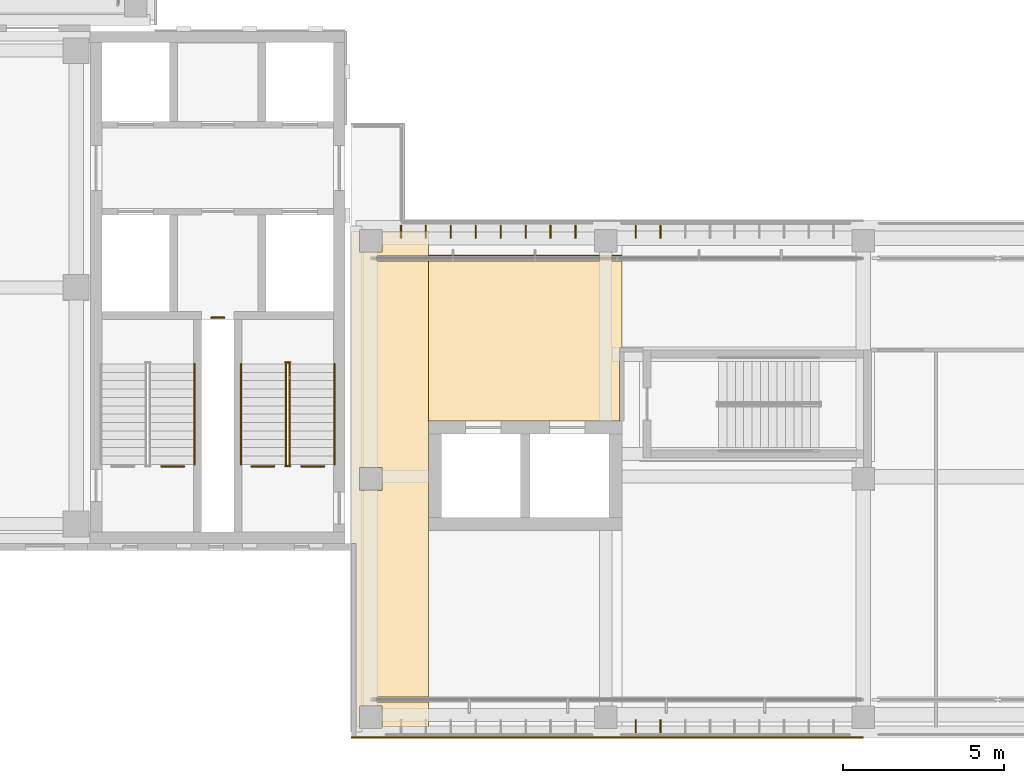
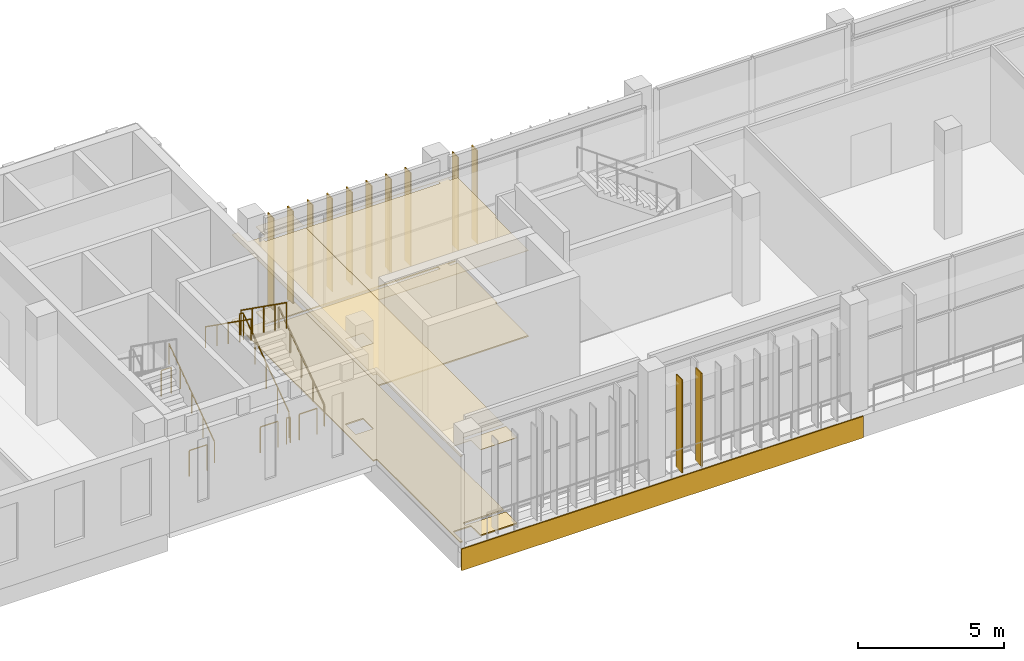
# One storey, part 31 of 46: 12 shading devices, 11 railings, 5 coverings.
"""IFC4 building model written with IfcOpenShell, lengths in metres."""

import ifcopenshell
import ifcopenshell.guid

model = None  # the IFC model being written
_history = None  # IfcOwnerHistory: only IFC2X3 demands one
_inside = {}  # id of a spatial element -> (the spatial element, [elements in it])
_under = {}  # id of a project, library or spatial element -> (it, [spatial elements below it])
_declared = {}  # id of a project -> (the project, [libraries it declares])
_typed = {}  # id of a type object -> (the type object, [elements of that type])
_made_of = {}  # id of a material, layer set ... -> (it, [elements and type objects made of it])


def new_model(schema):
    """Start an empty IFC model of exactly this schema.

    Asked for "IFC4X3", IfcOpenShell would pick the latest addendum, in which some entities
    have other attributes; the version numbers below select the first issue.
    IFC2X3 requires an IfcOwnerHistory on every rooted entity: one is made here for all.
    """
    global model, _history
    if schema == "IFC4X3":
        model = ifcopenshell.file(schema_version=(4, 3, 0, 0))
    else:
        model = ifcopenshell.file(schema=schema)
    _inside.clear()
    _under.clear()
    _declared.clear()
    _typed.clear()
    _made_of.clear()
    _history = None
    if model.schema == "IFC2X3":
        org = make("IfcOrganization", Name="unknown")
        user = make(
            "IfcPersonAndOrganization",
            ThePerson=make("IfcPerson", FamilyName="unknown"),
            TheOrganization=org,
        )
        app = make(
            "IfcApplication",
            ApplicationDeveloper=org,
            Version="unknown",
            ApplicationFullName="unknown",
            ApplicationIdentifier="unknown",
        )
        _history = make(
            "IfcOwnerHistory",
            OwningUser=user,
            OwningApplication=app,
            ChangeAction="ADDED",
            CreationDate=0,
        )
    return model


def make(cls, **values):
    """One entity of the class cls with the attributes given. An attribute that is None is left unset."""
    return model.create_entity(
        cls, **{name: value for name, value in values.items() if value is not None}
    )


def rooted(cls, **values):
    """An entity with a GlobalId (a new one), such as an element, a storey or a relation."""
    return make(cls, GlobalId=ifcopenshell.guid.new(), OwnerHistory=_history, **values)


def si_unit(unit_type, name, prefix=None):
    """IfcSIUnit, for example si_unit("LENGTHUNIT", "METRE", prefix="MILLI")."""
    return make("IfcSIUnit", UnitType=unit_type, Prefix=prefix, Name=name)


def assignment(units):
    """IfcUnitAssignment: the units of a project."""
    return None if units is None else make("IfcUnitAssignment", Units=units)


def point(xyz):
    """IfcCartesianPoint."""
    return None if xyz is None else make("IfcCartesianPoint", Coordinates=xyz)


def direction(xyz):
    """IfcDirection."""
    return None if xyz is None else make("IfcDirection", DirectionRatios=xyz)


def frame(location, z_axis=None, x_axis=None):
    """IfcAxis2Placement3D, a coordinate frame: its origin and axes. An axis left out is left unset."""
    return make(
        "IfcAxis2Placement3D",
        Location=point(location),
        Axis=direction(z_axis),
        RefDirection=direction(x_axis),
    )


def frame_2d(location, x_axis=None):
    """IfcAxis2Placement2D, a coordinate frame in the plane: its origin and x axis."""
    return make(
        "IfcAxis2Placement2D", Location=point(location), RefDirection=direction(x_axis)
    )


def origin():
    """The frame at (0, 0, 0) with its axes left unset."""
    return frame((0.0, 0.0, 0.0))


def origin_2d():
    """The frame at (0, 0) in the plane with its x axis left unset."""
    return frame_2d((0.0, 0.0))


def place(relative_to, where):
    """IfcLocalPlacement: puts the frame where relative to a parent placement (None: the world)."""
    return make(
        "IfcLocalPlacement", PlacementRelTo=relative_to, RelativePlacement=where
    )


def context(
    kind, dimensions, precision=None, world=None, true_north=None, identifier=None
):
    """IfcGeometricRepresentationContext, for example the 3D "Model" context."""
    return make(
        "IfcGeometricRepresentationContext",
        ContextIdentifier=identifier,
        ContextType=kind,
        CoordinateSpaceDimension=dimensions,
        Precision=precision,
        WorldCoordinateSystem=world,
        TrueNorth=true_north,
    )


def subcontext(parent, identifier, kind, view, scale=None):
    """IfcGeometricRepresentationSubContext, for example "Body" below "Model"."""
    return make(
        "IfcGeometricRepresentationSubContext",
        ContextIdentifier=identifier,
        ContextType=kind,
        ParentContext=parent,
        TargetScale=scale,
        TargetView=view,
    )


def project(units=None, contexts=None):
    """IfcProject with its units and contexts."""
    return rooted(
        "IfcProject",
        Name="project",
        RepresentationContexts=contexts,
        UnitsInContext=assignment(units),
    )


def spatial(cls, under=None, at=None, **own):
    """A site, building, storey or space (cls), placed at a placement, below another one or the project."""
    s = rooted(cls, ObjectPlacement=at, **own)
    if under is not None:
        _under.setdefault(under.id(), (under, []))[1].append(s)
    return s


def polyline(points):
    """IfcPolyline through the points."""
    return make("IfcPolyline", Points=[point(p) for p in points])


def profile(cls, at=None, kind="AREA", **sizes):
    """A parametric profile (cls). Its sizes go by their IFC names, for example OverallWidth=200.0."""
    return make(cls, ProfileType=kind, Position=at, **sizes)


def rectangle(**sizes):
    """IfcRectangleProfileDef."""
    return profile("IfcRectangleProfileDef", **sizes)


def circle(**sizes):
    """IfcCircleProfileDef."""
    return profile("IfcCircleProfileDef", **sizes)


def outline(outer, holes=None, kind="AREA"):
    """IfcArbitraryClosedProfileDef: a profile drawn as a closed curve; with holes, ...WithVoids."""
    if holes is None:
        return make("IfcArbitraryClosedProfileDef", ProfileType=kind, OuterCurve=outer)
    return make(
        "IfcArbitraryProfileDefWithVoids",
        ProfileType=kind,
        OuterCurve=outer,
        InnerCurves=holes,
    )


def extrude(swept, where, along, depth):
    """IfcExtrudedAreaSolid: the profile swept, set in the frame where, extruded along a direction by depth."""
    return make(
        "IfcExtrudedAreaSolid",
        SweptArea=swept,
        Position=where,
        ExtrudedDirection=direction(along),
        Depth=depth,
    )


def shape(context_of_items, identifier, shape_type, items):
    """IfcShapeRepresentation: the items that make up one representation, for example the "Body"."""
    return make(
        "IfcShapeRepresentation",
        ContextOfItems=context_of_items,
        RepresentationIdentifier=identifier,
        RepresentationType=shape_type,
        Items=items,
    )


def material(Name=None, Category=None):
    """IfcMaterial."""
    return make("IfcMaterial", Name=Name, Category=Category)


def layer(
    of_material, thickness, ventilated=None, Name=None, Category=None, Priority=None
):
    """IfcMaterialLayer: one layer of a wall or slab, of a material (None: an air gap)."""
    return make(
        "IfcMaterialLayer",
        Material=of_material,
        LayerThickness=thickness,
        IsVentilated=ventilated,
        Name=Name,
        Category=Category,
        Priority=Priority,
    )


def layer_set(layers, Name=None):
    """IfcMaterialLayerSet."""
    return make("IfcMaterialLayerSet", MaterialLayers=layers, LayerSetName=Name)


def made_of(thing, what):
    """Note that an element or type object is made of a material, layer set ...; save() writes the relation."""
    if what is not None:
        _made_of.setdefault(what.id(), (what, []))[1].append(thing)
    return thing


def type_object(cls, material=None, **own):
    """A type object (cls), such as IfcWallType, which elements share."""
    return made_of(rooted(cls, **own), material)


def element(
    cls,
    number,
    at=None,
    inside=None,
    cuts=None,
    type_object=None,
    material=None,
    context=None,
    identifier="Body",
    shape_type=None,
    held_by="IfcProductDefinitionShape",
    body=None,
    shapes=None,
    **own,
):
    """One element of the class cls, such as IfcWall. Its Tag is "e" and its number.

    at: its placement. inside: the storey or other place that contains it. cuts: it is an
    opening in that element (IfcRelVoidsElement). A single representation is given by context,
    identifier, shape_type and body (its items); several are given by shapes. held_by: the class
    of the entity that holds the representations. save() writes the other relations.
    """
    e = rooted(cls, Tag="e%d" % number, ObjectPlacement=at, **own)
    if body is not None:
        shapes = [shape(context, identifier, shape_type, body)]
    if shapes is not None:
        e.Representation = make(held_by, Representations=shapes)
    if inside is not None:
        _inside.setdefault(inside.id(), (inside, []))[1].append(e)
    if cuts is not None:
        rooted(
            "IfcRelVoidsElement", RelatingBuildingElement=cuts, RelatedOpeningElement=e
        )
    if type_object is not None:
        _typed.setdefault(type_object.id(), (type_object, []))[1].append(e)
    return made_of(e, material)


def aggregate(whole, parts):
    """IfcRelAggregates: a whole, such as a stair, and the parts it consists of."""
    return rooted("IfcRelAggregates", RelatingObject=whole, RelatedObjects=parts)


def save(model, path):
    """Write the relations noted so far, then the file.

    IfcRelAggregates (storeys below a building ...), IfcRelContainedInSpatialStructure (elements
    in a storey), IfcRelDefinesByType, IfcRelAssociatesMaterial and IfcRelDeclares: one each for
    every whole, place, type object, material and project.
    """
    for whole, parts in _under.values():
        aggregate(whole, parts)
    for where, things in _inside.values():
        rooted(
            "IfcRelContainedInSpatialStructure",
            RelatedElements=things,
            RelatingStructure=where,
        )
    for kind, things in _typed.values():
        rooted("IfcRelDefinesByType", RelatedObjects=things, RelatingType=kind)
    for what, things in _made_of.values():
        rooted("IfcRelAssociatesMaterial", RelatedObjects=things, RelatingMaterial=what)
    for by, libraries in _declared.values():
        rooted("IfcRelDeclares", RelatingContext=by, RelatedDefinitions=libraries)
    model.write(path)


model = new_model("IFC4")

# Units and contexts
model_context = context("Model", 3, precision=1e-05, world=origin(), true_north=direction((0.0, 1.0)))
body_context = subcontext(model_context, "Body", "Model", "MODEL_VIEW")
ifc_project = project(units=[si_unit("LENGTHUNIT", "METRE"), si_unit("AREAUNIT", "SQUARE_METRE"), si_unit("VOLUMEUNIT", "CUBIC_METRE"), si_unit("PLANEANGLEUNIT", "RADIAN"), si_unit("MASSUNIT", "GRAM", prefix="KILO")], contexts=[model_context])

# Site, building, storey
site_placement = place(None, origin())
site = spatial("IfcSite", under=ifc_project, at=site_placement, CompositionType="ELEMENT")
building_placement = place(site_placement, origin())
building = spatial("IfcBuilding", under=site, at=building_placement, Name="Lantern Court Media Centre", CompositionType="ELEMENT")
storey_placement = place(building_placement, frame((0.0, 0.0, 28.800048828125)))
storey = spatial("IfcBuildingStorey", under=building, at=storey_placement, Name="L06", CompositionType="ELEMENT", Elevation=28.800048828125)

# Railings
ifc_material_1 = material(Name="Powder-coated steel", Category="steel")
railing_type_1 = type_object("IfcRailingType", Name="Floor edge guard 1100", PredefinedType="GUARDRAIL", material=ifc_material_1)
for number, where, name in (
    (1, (18.89990234375, 50.390380859375, 0.0), "L06 opening guard 142"),
    (2, (23.25, 50.390380859375, 0.0), "L06 opening guard 144"),
    (3, (21.70361328125, 50.390380859375, 0.0), "L06 opening guard 145"),
):
    element("IfcRailing", number, at=place(storey_placement, frame(where)), inside=storey, type_object=railing_type_1, Name=name, PredefinedType="GUARDRAIL", context=body_context, shape_type="SweptSolid", body=[
        extrude(circle(Radius=0.02392578125, at=origin_2d()), frame((0.0, 0.0, 1.076171875), z_axis=(-1.0, 0.0, 0.0), x_axis=(0.0, -1.0, 0.0)), (0.0, 0.0, 1.0), 0.70361328125),
        extrude(circle(Radius=0.02099609375, at=origin_2d()), origin(), (0.0, 0.0, 1.0), 1.052001953125),
        extrude(circle(Radius=0.02099609375, at=origin_2d()), frame((-0.70361328125, 0.0, 0.0)), (0.0, 0.0, 1.0), 1.052001953125),
    ])
railing_1_placement = place(storey_placement, frame((20.14990234375, 55.010009765625, 0.0)))
element("IfcRailing", 4, at=railing_1_placement, inside=storey, type_object=railing_type_1, Name="L06 opening guard 146", PredefinedType="GUARDRAIL", context=body_context, shape_type="SweptSolid", body=[
    extrude(circle(Radius=0.02392578125, at=origin_2d()), frame((0.0, 0.0, 1.076171875), z_axis=(-1.0, 0.0, 0.0), x_axis=(0.0, -1.0, 0.0)), (0.0, 0.0, 1.0), 0.39990234375),
    extrude(circle(Radius=0.02099609375, at=origin_2d()), origin(), (0.0, 0.0, 1.0), 1.052001953125),
    extrude(circle(Radius=0.02099609375, at=origin_2d()), frame((-0.39990234375, 0.0, 0.0)), (0.0, 0.0, 1.0), 1.052001953125),
])

# Covering
ifc_material_2 = material(Name="White glass-fibre reinforced cement cladding", Category="concrete")
ifc_layer_1 = layer(ifc_material_2, 0.050048828125)
ifc_layer_set_1 = layer_set([ifc_layer_1], Name="White glass-fibre reinforced cement cladding")
covering_type_1 = type_object("IfcCoveringType", Name="Floor-edge band 50", PredefinedType="CLADDING", material=ifc_layer_set_1)
covering_1_placement = place(storey_placement, frame((24.10009765625, 41.97509765625, -0.900146484375), z_axis=(0.0, 0.0, 1.0), x_axis=(1.0, 0.0, 0.0)))
element("IfcCovering", 5, at=covering_1_placement, inside=storey, type_object=covering_type_1, Name="Floor-edge band S outer L06", PredefinedType="CLADDING", context=body_context, shape_type="SweptSolid", body=[
    extrude(rectangle(XDim=15.89990234375, YDim=0.050048828125, at=frame_2d((7.949951171875, 0.0))), origin(), (0.0, 0.0, 1.0), 0.900146484375),
])

# Railings
railing_type_2 = type_object("IfcRailingType", Name="Stair guard 1100", PredefinedType="GUARDRAIL", material=ifc_material_1)
railing_2_placement = place(storey_placement, frame((22.176025390625, 50.449951171875, 0.1845703125)))
element("IfcRailing", 6, at=railing_2_placement, inside=storey, type_object=railing_type_2, Name="L06 ST-SWB stair guard 1", PredefinedType="GUARDRAIL", context=body_context, shape_type="SweptSolid", body=[
    extrude(circle(Radius=0.02392578125, at=origin_2d()), frame((0.0, 0.0, 1.076171875), z_axis=(0.0, 0.815376961211, 0.578930402662), x_axis=(-1.0, 0.0, 0.0)), (0.0, 0.0, 1.0), 3.82666015625),
    extrude(circle(Radius=0.02099609375, at=origin_2d()), origin(), (0.0, 0.0, 1.0), 1.052001953125),
    extrude(circle(Radius=0.02099609375, at=origin_2d()), frame((0.0, 0.780029296875, 0.5537109375)), (0.0, 0.0, 1.0), 1.052001953125),
    extrude(circle(Radius=0.02099609375, at=origin_2d()), frame((0.0, 1.56005859375, 1.107666015625)), (0.0, 0.0, 1.0), 1.052001953125),
    extrude(circle(Radius=0.02099609375, at=origin_2d()), frame((0.0, 2.340087890625, 1.66162109375)), (0.0, 0.0, 1.0), 1.052001953125),
    extrude(circle(Radius=0.02099609375, at=origin_2d()), frame((0.0, 3.1201171875, 2.21533203125)), (0.0, 0.0, 1.0), 1.052001953125),
])
railing_3_placement = place(storey_placement, frame((22.199951171875, 53.6201171875, 2.39990234375)))
element("IfcRailing", 7, at=railing_3_placement, inside=storey, type_object=railing_type_2, Name="L06 ST-SWB stair guard 2", PredefinedType="GUARDRAIL", context=body_context, shape_type="SweptSolid", body=[
    extrude(circle(Radius=0.02392578125, at=origin_2d()), frame((0.0, 0.0, 1.076171875), z_axis=(-1.0, 0.0, 0.0), x_axis=(0.0, -1.0, 0.0)), (0.0, 0.0, 1.0), 0.14990234375),
    extrude(circle(Radius=0.02099609375, at=origin_2d()), origin(), (0.0, 0.0, 1.0), 1.052001953125),
    extrude(circle(Radius=0.02099609375, at=origin_2d()), frame((-0.14990234375, 0.0, 0.0)), (0.0, 0.0, 1.0), 1.052001953125),
])
railing_4_placement = place(storey_placement, frame((22.073974609375, 53.570068359375, 2.58447265625)))
element("IfcRailing", 8, at=railing_4_placement, inside=storey, type_object=railing_type_2, Name="L06 ST-SWB stair guard 3", PredefinedType="GUARDRAIL", context=body_context, shape_type="SweptSolid", body=[
    extrude(circle(Radius=0.02392578125, at=origin_2d()), frame((0.0, 0.0, 1.076171875), z_axis=(0.0, -0.815346844174, 0.578972817752), x_axis=(1.0, 0.0, 0.0)), (0.0, 0.0, 1.0), 3.82666015625),
    extrude(circle(Radius=0.02099609375, at=origin_2d()), origin(), (0.0, 0.0, 1.0), 1.052001953125),
    extrude(circle(Radius=0.02099609375, at=origin_2d()), frame((0.0, -0.780029296875, 0.553955078125)), (0.0, 0.0, 1.0), 1.052001953125),
    extrude(circle(Radius=0.02099609375, at=origin_2d()), frame((0.0, -1.56005859375, 1.10791015625)), (0.0, 0.0, 1.0), 1.052001953125),
    extrude(circle(Radius=0.02099609375, at=origin_2d()), frame((0.0, -2.340087890625, 1.66162109375)), (0.0, 0.0, 1.0), 1.052001953125),
    extrude(circle(Radius=0.02099609375, at=origin_2d()), frame((0.0, -3.1201171875, 2.215576171875)), (0.0, 0.0, 1.0), 1.052001953125),
])
railing_5_placement = place(storey_placement, frame((22.199951171875, 50.39990234375, 0.0)))
element("IfcRailing", 9, at=railing_5_placement, inside=storey, type_object=railing_type_2, Name="L06 ST-SWB stair guard 4", PredefinedType="GUARDRAIL", context=body_context, shape_type="SweptSolid", body=[
    extrude(circle(Radius=0.02392578125, at=origin_2d()), frame((0.0, 0.0, 1.076171875), z_axis=(-1.0, 0.0, 0.0), x_axis=(0.0, -1.0, 0.0)), (0.0, 0.0, 1.0), 0.14990234375),
    extrude(circle(Radius=0.02099609375, at=origin_2d()), origin(), (0.0, 0.0, 1.0), 1.052001953125),
    extrude(circle(Radius=0.02099609375, at=origin_2d()), frame((-0.14990234375, 0.0, 0.0)), (0.0, 0.0, 1.0), 1.052001953125),
])
railing_type_3 = type_object("IfcRailingType", Name="Stair handrail 900", PredefinedType="HANDRAIL", material=ifc_material_1)
for number, where, name in (
    (10, (19.22412109375, 50.449951171875, 0.1845703125), "L06 ST-SWA stair handrail 1"),
    (11, (23.573974609375, 50.449951171875, 0.1845703125), "L06 ST-SWB stair handrail 1"),
):
    element("IfcRailing", number, at=place(storey_placement, frame(where)), inside=storey, type_object=railing_type_3, Name=name, PredefinedType="HANDRAIL", context=body_context, shape_type="SweptSolid", body=[
        extrude(circle(Radius=0.02392578125, at=origin_2d()), frame((0.0, 0.0, 0.8759765625), z_axis=(0.0, 0.815376961211, 0.578930402662), x_axis=(-1.0, 0.0, 0.0)), (0.0, 0.0, 1.0), 3.82666015625),
        extrude(circle(Radius=0.02099609375, at=origin_2d()), origin(), (0.0, 0.0, 1.0), 0.851806640625),
        extrude(circle(Radius=0.02099609375, at=origin_2d()), frame((0.0, 0.780029296875, 0.5537109375)), (0.0, 0.0, 1.0), 0.851806640625),
        extrude(circle(Radius=0.02099609375, at=origin_2d()), frame((0.0, 1.56005859375, 1.107666015625)), (0.0, 0.0, 1.0), 0.851806640625),
        extrude(circle(Radius=0.02099609375, at=origin_2d()), frame((0.0, 2.340087890625, 1.66162109375)), (0.0, 0.0, 1.0), 0.851806640625),
        extrude(circle(Radius=0.02099609375, at=origin_2d()), frame((0.0, 3.1201171875, 2.21533203125)), (0.0, 0.0, 1.0), 0.851806640625),
    ])
railing_6_placement = place(storey_placement, frame((20.676025390625, 53.570068359375, 2.58447265625)))
element("IfcRailing", 12, at=railing_6_placement, inside=storey, type_object=railing_type_3, Name="L06 ST-SWB stair handrail 2", PredefinedType="HANDRAIL", context=body_context, shape_type="SweptSolid", body=[
    extrude(circle(Radius=0.02392578125, at=origin_2d()), frame((0.0, 0.0, 0.8759765625), z_axis=(0.0, -0.815346844174, 0.578972817752), x_axis=(1.0, 0.0, 0.0)), (0.0, 0.0, 1.0), 3.82666015625),
    extrude(circle(Radius=0.02099609375, at=origin_2d()), origin(), (0.0, 0.0, 1.0), 0.851806640625),
    extrude(circle(Radius=0.02099609375, at=origin_2d()), frame((0.0, -0.780029296875, 0.553955078125)), (0.0, 0.0, 1.0), 0.851806640625),
    extrude(circle(Radius=0.02099609375, at=origin_2d()), frame((0.0, -1.56005859375, 1.10791015625)), (0.0, 0.0, 1.0), 0.851806640625),
    extrude(circle(Radius=0.02099609375, at=origin_2d()), frame((0.0, -2.340087890625, 1.66162109375)), (0.0, 0.0, 1.0), 0.851806640625),
    extrude(circle(Radius=0.02099609375, at=origin_2d()), frame((0.0, -3.1201171875, 2.215576171875)), (0.0, 0.0, 1.0), 0.851806640625),
])

# Coverings
ifc_material_3 = material(Name="Mineral fibre ceiling tile")
ifc_layer_2 = layer(ifc_material_3, 0.02001953125)
ifc_layer_set_2 = layer_set([ifc_layer_2], Name="Mineral fibre ceiling tile")
covering_type_2 = type_object("IfcCoveringType", Name="Suspended ceiling tile", PredefinedType="CEILING", material=ifc_layer_set_2)
covering_2_placement = place(storey_placement, frame((0.0, 0.0, 3.599853515625)))
element("IfcCovering", 13, at=covering_2_placement, inside=storey, type_object=covering_type_2, Name="End Lobby ceiling", PredefinedType="CEILING", context=body_context, shape_type="SweptSolid", body=[
    extrude(outline(polyline([(24.240478515625, 42.300048828125), (24.240478515625, 48.0), (24.10009765625, 48.00048828125), (24.10009765625, 57.699951171875), (24.349609375, 57.699951171875), (24.35009765625, 57.049560546875), (25.05029296875, 57.049560546875), (25.050537109375, 57.699951171875), (26.5, 57.699951171875), (26.5, 56.925537109375), (24.8994140625, 56.925048828125), (24.89990234375, 56.7744140625), (26.5, 56.7744140625), (26.5, 43.2255859375), (24.8994140625, 43.22509765625), (24.89990234375, 43.074462890625), (26.5, 43.074462890625), (26.5, 42.300048828125), (25.050537109375, 42.300048828125), (25.050048828125, 42.950439453125), (24.349609375, 42.950439453125), (24.349609375, 42.300048828125), (24.240478515625, 42.300048828125)]), holes=[polyline([(25.050537109375, 50.35009765625), (24.349609375, 50.350341796875), (24.349609375, 49.649658203125), (25.05029296875, 49.649658203125), (25.050537109375, 50.35009765625)])]), origin(), (0.0, 0.0, 1.0), 0.02001953125),
])
covering_3_placement = place(storey_placement, frame((0.0, 0.0, 3.599853515625)))
element("IfcCovering", 14, at=covering_3_placement, inside=storey, type_object=covering_type_2, Name="Lift Lobby ceiling", PredefinedType="CEILING", context=body_context, shape_type="SweptSolid", body=[
    extrude(outline(polyline([(32.5, 54.06298828125), (32.43701171875, 54.0625), (32.43701171875, 51.800537109375), (26.5, 51.800537109375), (26.5, 56.7744140625), (31.800537109375, 56.77490234375), (31.800048828125, 56.925537109375), (26.5, 56.925537109375), (26.5, 56.949951171875), (32.5, 56.949951171875), (32.5, 56.925537109375), (32.199462890625, 56.925048828125), (32.19970703125, 56.774658203125), (32.5, 56.7744140625), (32.5, 54.06298828125)])), origin(), (0.0, 0.0, 1.0), 0.02001953125),
])
ifc_material_4 = material(Name="Terrazzo")
ifc_layer_3 = layer(ifc_material_4, 0.050048828125)
ifc_layer_set_3 = layer_set([ifc_layer_3], Name="Terrazzo")
covering_type_3 = type_object("IfcCoveringType", Name="Terrazzo floor finish", PredefinedType="FLOORING", material=ifc_layer_set_3)
covering_4_placement = place(storey_placement, origin())
element("IfcCovering", 15, at=covering_4_placement, inside=storey, type_object=covering_type_3, Name="End Lobby floor finish", PredefinedType="FLOORING", context=body_context, shape_type="SweptSolid", body=[
    extrude(outline(polyline([(24.2451171875, 42.300048828125), (24.2451171875, 48.0), (24.10009765625, 48.0048828125), (24.10009765625, 57.699951171875), (24.344970703125, 57.699951171875), (24.35009765625, 57.044921875), (25.053466796875, 57.04638671875), (25.054931640625, 57.699951171875), (26.5, 57.699951171875), (26.5, 56.929931640625), (24.89501953125, 56.925048828125), (24.8994140625, 56.77001953125), (26.5, 56.77001953125), (26.5, 43.22998046875), (24.89501953125, 43.22509765625), (24.8994140625, 43.070068359375), (26.5, 43.070068359375), (26.5, 42.300048828125), (25.054931640625, 42.300048828125), (25.050048828125, 42.955078125), (24.346923828125, 42.953857421875), (24.344970703125, 42.300048828125), (24.2451171875, 42.300048828125)]), holes=[polyline([(25.050048828125, 49.64501953125), (25.053466796875, 50.353515625), (24.346435546875, 50.353515625), (24.346435546875, 49.646484375), (25.050048828125, 49.64501953125)])]), origin(), (0.0, 0.0, 1.0), 0.050048828125),
])
covering_5_placement = place(storey_placement, origin())
element("IfcCovering", 16, at=covering_5_placement, inside=storey, type_object=covering_type_3, Name="Lift Lobby floor finish", PredefinedType="FLOORING", context=body_context, shape_type="SweptSolid", body=[
    extrude(outline(polyline([(32.5, 54.0673828125), (32.4326171875, 54.0625), (32.4326171875, 51.804931640625), (26.5, 51.804931640625), (26.5, 56.77001953125), (31.804931640625, 56.77490234375), (31.800048828125, 56.929931640625), (26.5, 56.929931640625), (26.5, 56.949951171875), (32.5, 56.949951171875), (32.5, 56.929931640625), (32.195068359375, 56.925048828125), (32.19775390625, 56.7705078125), (32.5, 56.77001953125), (32.5, 54.0673828125)])), origin(), (0.0, 0.0, 1.0), 0.050048828125),
])

# Shading devices
ifc_material_5 = material(Name="Bronze anodised aluminium louvre", Category="aluminium")
ifc_layer_4 = layer(ifc_material_5, 0.0400390625)
ifc_layer_set_4 = layer_set([ifc_layer_4], Name="Bronze anodised aluminium louvre")
shading_device_type = type_object("IfcShadingDeviceType", Name="Vertical louvre 40x400 under beam", PredefinedType="USERDEFINED", material=ifc_layer_set_4)
for number, where, z_axis, x_axis, name in (
    (17, (32.933349609375, 42.320068359375, 0.0), (0.0, 0.0, 1.0), (1.0, 0.0, 0.0), "Vertical louvre S outer L06"),
    (18, (33.699951171875, 42.320068359375, 0.0), (0.0, 0.0, 1.0), (1.0, 0.0, 0.0), "Vertical louvre S outer L06"),
    (19, (25.637451171875, 57.679931640625, 0.0), (0.0, 0.0, 1.0), (1.0, 0.0, 0.0), "Vertical louvre S inner L06"),
    (20, (26.41259765625, 57.679931640625, 0.0), (0.0, 0.0, 1.0), (1.0, 0.0, 0.0), "Vertical louvre S inner L06"),
    (21, (27.1875, 57.679931640625, 0.0), (0.0, 0.0, 1.0), (1.0, 0.0, 0.0), "Vertical louvre S inner L06"),
    (22, (27.96240234375, 57.679931640625, 0.0), (0.0, 0.0, 1.0), (1.0, 0.0, 0.0), "Vertical louvre S inner L06"),
    (23, (28.737548828125, 57.679931640625, 0.0), (0.0, 0.0, 1.0), (1.0, 0.0, 0.0), "Vertical louvre S inner L06"),
    (24, (29.512451171875, 57.679931640625, 0.0), (0.0, 0.0, 1.0), (1.0, 0.0, 0.0), "Vertical louvre S inner L06"),
    (25, (30.28759765625, 57.679931640625, 0.0), (0.0, 0.0, 1.0), (1.0, 0.0, 0.0), "Vertical louvre S inner L06"),
    (26, (31.0625, 57.679931640625, 0.0), (0.0, 0.0, 1.0), (1.0, 0.0, 0.0), "Vertical louvre S inner L06"),
    (27, (32.933349609375, 57.679931640625, 0.0), (0.0, 0.0, 1.0), (1.0, 0.0, 0.0), "Vertical louvre S inner L06"),
    (28, (33.699951171875, 57.679931640625, 0.0), (0.0, 0.0, 1.0), (1.0, 0.0, 0.0), "Vertical louvre S inner L06"),
):
    element("IfcShadingDevice", number, at=place(storey_placement, frame(where, z_axis=z_axis, x_axis=x_axis)), inside=storey, type_object=shading_device_type, Name=name, ObjectType="VERTICAL LOUVRE", PredefinedType="USERDEFINED", context=body_context, shape_type="SweptSolid", body=[
        extrude(rectangle(XDim=0.0400390625, YDim=0.39990234375, at=origin_2d()), origin(), (0.0, 0.0, 1.0), 3.89990234375),
    ])

save(model, "model.ifc")
